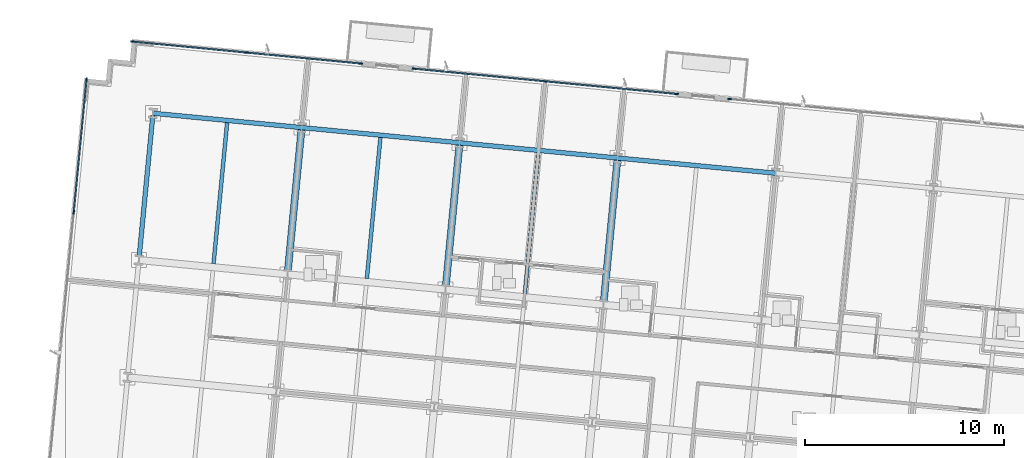
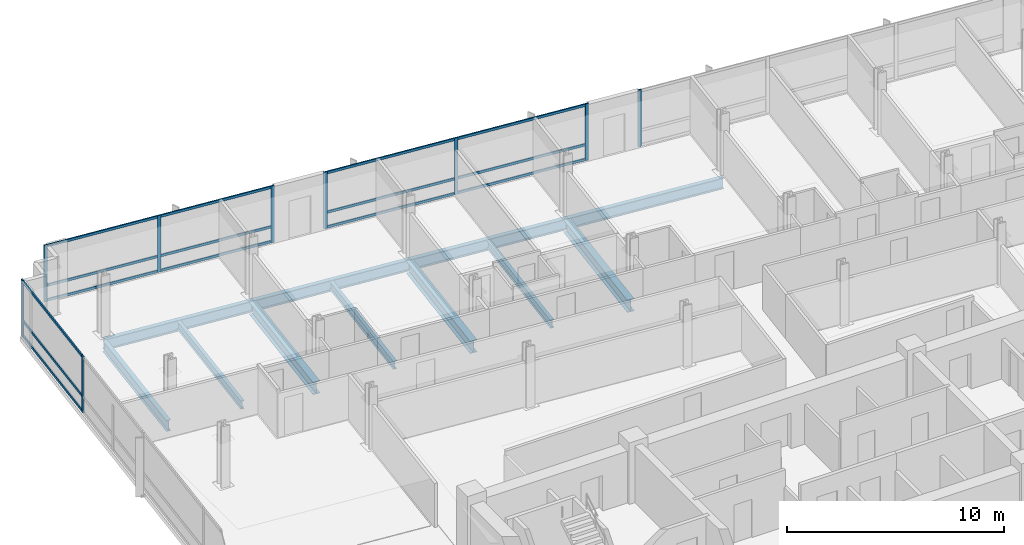
# One storey, part 7 of 17: 24 members, 11 beams, 4 elements without a shape of their own.
"""IFC4 building model written with IfcOpenShell, lengths in metres."""

from ifc_helpers import new_model, si_unit, direction, frame, origin, origin_2d, place, context, subcontext, project, spatial, rectangle, i_section, extrude, material, material_profile, profile_set, type_object, element, aggregate, save


model = new_model("IFC4")

# Units and contexts
model_context = context("Model", 3, precision=1e-05, world=origin(), true_north=direction((0.0, 1.0)))
body_context = subcontext(model_context, "Body", "Model", "MODEL_VIEW")
ifc_project = project(units=[si_unit("LENGTHUNIT", "METRE"), si_unit("AREAUNIT", "SQUARE_METRE"), si_unit("VOLUMEUNIT", "CUBIC_METRE"), si_unit("PLANEANGLEUNIT", "RADIAN"), si_unit("MASSUNIT", "GRAM", prefix="KILO")], contexts=[model_context])

# Site, building, storey
site_placement = place(None, origin())
site = spatial("IfcSite", under=ifc_project, at=site_placement, CompositionType="ELEMENT")
building_placement = place(site_placement, origin())
building = spatial("IfcBuilding", under=site, at=building_placement, Name="Solmavex Isthmus Hotel", CompositionType="ELEMENT")
storey_placement = place(building_placement, frame((0.0, 0.0, 139.35009765625)))
storey = spatial("IfcBuildingStorey", under=building, at=storey_placement, Name="L37", CompositionType="ELEMENT", Elevation=139.35009765625)

# Beams
ifc_material_1 = material(Name="Steel ASTM A992 Grade 50", Category="steel")
ifc_material_profile_1 = material_profile(ifc_material_1, i_section(OverallWidth=0.354736328125, OverallDepth=0.695556640625, WebThickness=0.015380859375, FlangeThickness=0.02490234375, FilletRadius=0.017822265625, at=origin_2d()), Name="W27X146")
ifc_profile_set_1 = profile_set([ifc_material_profile_1], Name="Steel ASTM A992 Grade 50")
beam_type_1 = type_object("IfcBeamType", Name="BM-BG-W27X146", PredefinedType="BEAM", material=ifc_profile_set_1)
beam_1_placement = place(storey_placement, frame((-15.254150390625, 13.07275390625, -0.60791015625), z_axis=(0.095839524498, 0.995396798038, 0.0), x_axis=(-0.995396798038, 0.095839524498, 0.0)))
element("IfcBeam", 1, at=beam_1_placement, inside=storey, type_object=beam_type_1, Name="Floor Beam L37-VG26", PredefinedType="BEAM", context=body_context, shape_type="SweptSolid", body=[
    extrude(i_section(OverallWidth=0.354736328125, OverallDepth=0.695556640625, WebThickness=0.015380859375, FlangeThickness=0.02490234375, FilletRadius=0.017822265625, at=origin_2d()), origin(), (0.0, 0.0, 1.0), 7.099609375),
])
beam_2_placement = place(storey_placement, frame((-7.3349609375, 12.310302734375, -0.60791015625), z_axis=(0.09587687835, 0.9953932008, 0.0), x_axis=(-0.9953932008, 0.09587687835, 0.0)))
element("IfcBeam", 2, at=beam_2_placement, inside=storey, type_object=beam_type_1, Name="Floor Beam L37-VG29", PredefinedType="BEAM", context=body_context, shape_type="SweptSolid", body=[
    extrude(i_section(OverallWidth=0.354736328125, OverallDepth=0.695556640625, WebThickness=0.015380859375, FlangeThickness=0.02490234375, FilletRadius=0.017822265625, at=origin_2d()), origin(), (0.0, 0.0, 1.0), 7.099365234375),
])
beam_3_placement = place(storey_placement, frame((0.58447265625, 11.547607421875, -0.60791015625), z_axis=(0.095839524498, 0.995396798038, 0.0), x_axis=(-0.995396798038, 0.095839524498, 0.0)))
element("IfcBeam", 3, at=beam_3_placement, inside=storey, type_object=beam_type_1, Name="Floor Beam L37-VG32", PredefinedType="BEAM", context=body_context, shape_type="SweptSolid", body=[
    extrude(i_section(OverallWidth=0.354736328125, OverallDepth=0.695556640625, WebThickness=0.015380859375, FlangeThickness=0.02490234375, FilletRadius=0.017822265625, at=origin_2d()), origin(), (0.0, 0.0, 1.0), 7.099609375),
])
ifc_material_profile_2 = material_profile(ifc_material_1, i_section(OverallWidth=0.1904296875, OverallDepth=0.456787109375, WebThickness=0.009033203125, FlangeThickness=0.014404296875, FilletRadius=0.0126953125, at=origin_2d()), Name="W18X50")
ifc_profile_set_2 = profile_set([ifc_material_profile_2], Name="Steel ASTM A992 Grade 50")
beam_type_2 = type_object("IfcBeamType", Name="BM-BJ-W18X50", PredefinedType="JOIST", material=ifc_profile_set_2)
for number, where, z_axis, x_axis, name in (
    (4, (-18.98095703125, 13.431640625, -0.488525390625), (0.095842805175, 0.99539648216, 0.0), (-0.99539648216, 0.095842805175, 0.0), "Secondary Floor Joist L37-J03"),
    (5, (-11.29443359375, 12.691650390625, -0.488525390625), (0.095842805175, 0.99539648216, 0.0), (-0.99539648216, 0.095842805175, 0.0), "Secondary Floor Joist L37-J06"),
    (6, (-3.375244140625, 11.928955078125, -0.488525390625), (0.09587687835, 0.9953932008, 0.0), (-0.9953932008, 0.09587687835, 0.0), "Secondary Floor Joist L37-J09"),
):
    element("IfcBeam", number, at=place(storey_placement, frame(where, z_axis=z_axis, x_axis=x_axis)), inside=storey, type_object=beam_type_2, Name=name, PredefinedType="JOIST", context=body_context, shape_type="SweptSolid", body=[
        extrude(i_section(OverallWidth=0.1904296875, OverallDepth=0.456787109375, WebThickness=0.009033203125, FlangeThickness=0.014404296875, FilletRadius=0.0126953125, at=origin_2d()), origin(), (0.0, 0.0, 1.0), 7.099365234375),
    ])
ifc_material_profile_3 = material_profile(ifc_material_1, i_section(OverallWidth=0.230224609375, OverallDepth=0.617431640625, WebThickness=0.01318359375, FlangeThickness=0.022216796875, FilletRadius=0.01513671875, at=origin_2d()), Name="W24X94")
ifc_profile_set_3 = profile_set([ifc_material_profile_3], Name="Steel ASTM A992 Grade 50")
beam_type_3 = type_object("IfcBeamType", Name="BM-SP-W24X94", PredefinedType="SPANDREL", material=ifc_profile_set_3)
beam_4_placement = place(storey_placement, frame((-22.016357421875, 20.971923828125, -0.56884765625), z_axis=(0.995395279593, -0.095855293875, 0.0), x_axis=(0.095855293875, 0.995395279593, 0.0)))
element("IfcBeam", 7, at=beam_4_placement, inside=storey, type_object=beam_type_3, Name="Floor Girder L37-UG15", PredefinedType="SPANDREL", context=body_context, shape_type="SweptSolid", body=[
    extrude(i_section(OverallWidth=0.230224609375, OverallDepth=0.617431640625, WebThickness=0.01318359375, FlangeThickness=0.022216796875, FilletRadius=0.01513671875, at=origin_2d()), origin(), (0.0, 0.0, 1.0), 7.488037109375),
])
for number, where, z_axis, x_axis, name in (
    (8, (-14.562744140625, 20.254150390625, -0.56884765625), (0.995397440011, -0.095832856685, 0.0), (0.095832856685, 0.995397440011, 0.0), "Floor Girder L37-UG16"),
    (9, (-6.643310546875, 19.49169921875, -0.56884765625), (0.995394512348, -0.095863260885, 0.0), (0.095863260885, 0.995394512348, 0.0), "Floor Girder L37-UG17"),
):
    element("IfcBeam", number, at=place(storey_placement, frame(where, z_axis=z_axis, x_axis=x_axis)), inside=storey, type_object=beam_type_3, Name=name, PredefinedType="SPANDREL", context=body_context, shape_type="SweptSolid", body=[
        extrude(i_section(OverallWidth=0.230224609375, OverallDepth=0.617431640625, WebThickness=0.01318359375, FlangeThickness=0.022216796875, FilletRadius=0.01513671875, at=origin_2d()), origin(), (0.0, 0.0, 1.0), 7.9560546875),
    ])
beam_5_placement = place(storey_placement, frame((1.276123046875, 18.72900390625, -0.56884765625), z_axis=(0.995397158178, -0.095835783981, 0.0), x_axis=(0.095835783981, 0.995397158178, 0.0)))
element("IfcBeam", 10, at=beam_5_placement, inside=storey, type_object=beam_type_3, Name="Floor Girder L37-UG18", PredefinedType="SPANDREL", context=body_context, shape_type="SweptSolid", body=[
    extrude(i_section(OverallWidth=0.230224609375, OverallDepth=0.617431640625, WebThickness=0.01318359375, FlangeThickness=0.022216796875, FilletRadius=0.01513671875, at=origin_2d()), origin(), (0.0, 0.0, 1.0), 7.955810546875),
])
beam_6_placement = place(storey_placement, frame((-22.707763671875, 13.79052734375, -0.56884765625), z_axis=(0.095842805175, 0.99539648216, 0.0), x_axis=(-0.99539648216, 0.095842805175, 0.0)))
element("IfcBeam", 11, at=beam_6_placement, inside=storey, type_object=beam_type_3, Name="Floor Beam L37-VG23", PredefinedType="SPANDREL", context=body_context, shape_type="SweptSolid", body=[
    extrude(i_section(OverallWidth=0.230224609375, OverallDepth=0.617431640625, WebThickness=0.01318359375, FlangeThickness=0.022216796875, FilletRadius=0.01513671875, at=origin_2d()), origin(), (0.0, 0.0, 1.0), 7.099365234375),
])

# Curtain wall, members
ifc_material_2 = material(Name="Aluminium alloy 6063-T6", Category="aluminium")
curtain_wall_type = type_object("IfcCurtainWallType", Name="CW-SYS-03", PredefinedType="NOTDEFINED", material=ifc_material_2)
curtain_wall_1_placement = place(storey_placement, origin())
curtain_wall_1 = element("IfcCurtainWall", 12, at=curtain_wall_1_placement, inside=storey, type_object=curtain_wall_type, Name="Stick Curtain Wall CWL-L37-N1", PredefinedType="NOTDEFINED")
ifc_material_profile_4 = material_profile(ifc_material_2, rectangle(XDim=0.070068359375, YDim=0.179931640625, at=origin_2d()), Name="CWM-70X180")
ifc_profile_set_4 = profile_set([ifc_material_profile_4], Name="Aluminium alloy 6063-T6")
member_type_1 = type_object("IfcMemberType", Name="CW-SYS-03-MUL", PredefinedType="MULLION", material=ifc_profile_set_4)
member_1_placement = place(storey_placement, frame((-23.04150390625, 24.566650390625, 0.0), z_axis=(0.0, 0.0, 1.0), x_axis=(0.095845521008, 0.995396220659, 0.0)))
member_1 = element("IfcMember", 13, at=member_1_placement, type_object=member_type_1, Name="CW-03 mullion 1", PredefinedType="MULLION", context=body_context, shape_type="SweptSolid", body=[
    extrude(rectangle(XDim=0.070068359375, YDim=0.179931640625, at=origin_2d()), origin(), (0.0, 0.0, 1.0), 3.18994140625),
])
member_2_placement = place(storey_placement, frame((-17.31982421875, 24.015869140625, 0.0), z_axis=(0.0, 0.0, 1.0), x_axis=(0.095845521008, 0.995396220659, 0.0)))
member_2 = element("IfcMember", 14, at=member_2_placement, type_object=member_type_1, Name="CW-03 mullion 2", PredefinedType="MULLION", context=body_context, shape_type="SweptSolid", body=[
    extrude(rectangle(XDim=0.070068359375, YDim=0.179931640625, at=origin_2d()), origin(), (0.0, 0.0, 1.0), 3.18994140625),
])
member_3_placement = place(storey_placement, frame((-11.598388671875, 23.46484375, 0.0), z_axis=(0.0, 0.0, 1.0), x_axis=(0.095845521008, 0.995396220659, 0.0)))
member_3 = element("IfcMember", 15, at=member_3_placement, type_object=member_type_1, Name="CW-03 mullion 3", PredefinedType="MULLION", context=body_context, shape_type="SweptSolid", body=[
    extrude(rectangle(XDim=0.070068359375, YDim=0.179931640625, at=origin_2d()), origin(), (0.0, 0.0, 1.0), 3.18994140625),
])

curtain_wall_2_placement = place(storey_placement, origin())
curtain_wall_2 = element("IfcCurtainWall", 16, at=curtain_wall_2_placement, inside=storey, type_object=curtain_wall_type, Name="Stick Curtain Wall CWL-L37-N2", PredefinedType="NOTDEFINED")
member_4_placement = place(storey_placement, frame((-8.940673828125, 23.208984375, 0.0), z_axis=(0.0, 0.0, 1.0), x_axis=(0.095845138178, 0.995396257521, 0.0)))
member_4 = element("IfcMember", 17, at=member_4_placement, type_object=member_type_1, Name="CW-03 mullion 1", PredefinedType="MULLION", context=body_context, shape_type="SweptSolid", body=[
    extrude(rectangle(XDim=0.070068359375, YDim=0.179931640625, at=origin_2d()), origin(), (0.0, 0.0, 1.0), 3.18994140625),
])
member_5_placement = place(storey_placement, frame((-2.35009765625, 22.574462890625, 0.0), z_axis=(0.0, 0.0, 1.0), x_axis=(0.095845138178, 0.995396257521, 0.0)))
member_5 = element("IfcMember", 18, at=member_5_placement, type_object=member_type_1, Name="CW-03 mullion 2", PredefinedType="MULLION", context=body_context, shape_type="SweptSolid", body=[
    extrude(rectangle(XDim=0.070068359375, YDim=0.179931640625, at=origin_2d()), origin(), (0.0, 0.0, 1.0), 3.18994140625),
])
member_6_placement = place(storey_placement, frame((4.240478515625, 21.939697265625, 0.0), z_axis=(0.0, 0.0, 1.0), x_axis=(0.095845138178, 0.995396257521, 0.0)))
member_6 = element("IfcMember", 19, at=member_6_placement, type_object=member_type_1, Name="CW-03 mullion 3", PredefinedType="MULLION", context=body_context, shape_type="SweptSolid", body=[
    extrude(rectangle(XDim=0.070068359375, YDim=0.179931640625, at=origin_2d()), origin(), (0.0, 0.0, 1.0), 3.18994140625),
])

# Curtain wall, member
curtain_wall_3_placement = place(storey_placement, origin())
curtain_wall_3 = element("IfcCurtainWall", 20, at=curtain_wall_3_placement, inside=storey, type_object=curtain_wall_type, Name="Stick Curtain Wall CWL-L37-N3", PredefinedType="NOTDEFINED")
member_7_placement = place(storey_placement, frame((6.898193359375, 21.683837890625, 0.0), z_axis=(0.0, 0.0, 1.0), x_axis=(0.095845735304, 0.995396200025, 0.0)))
member_7 = element("IfcMember", 21, at=member_7_placement, type_object=member_type_1, Name="CW-03 mullion 1", PredefinedType="MULLION", context=body_context, shape_type="SweptSolid", body=[
    extrude(rectangle(XDim=0.070068359375, YDim=0.179931640625, at=origin_2d()), origin(), (0.0, 0.0, 1.0), 3.18994140625),
])
aggregate(curtain_wall_3, [member_7])

# Curtain wall, members
curtain_wall_4_placement = place(storey_placement, origin())
curtain_wall_4 = element("IfcCurtainWall", 22, at=curtain_wall_4_placement, inside=storey, type_object=curtain_wall_type, Name="Stick Curtain Wall CWL-L37-W1", PredefinedType="NOTDEFINED")
member_8_placement = place(storey_placement, frame((-25.990234375, 16.010009765625, 0.0), z_axis=(0.0, 0.0, 1.0), x_axis=(-0.995396190038, 0.09584583902, 0.0)))
member_8 = element("IfcMember", 23, at=member_8_placement, type_object=member_type_1, Name="CW-03 mullion 5", PredefinedType="MULLION", context=body_context, shape_type="SweptSolid", body=[
    extrude(rectangle(XDim=0.070068359375, YDim=0.179931640625, at=origin_2d()), origin(), (0.0, 0.0, 1.0), 3.18994140625),
])
member_9_placement = place(storey_placement, frame((-25.349365234375, 22.6640625, 0.0), z_axis=(0.0, 0.0, 1.0), x_axis=(-0.995396190038, 0.09584583902, 0.0)))
member_9 = element("IfcMember", 24, at=member_9_placement, type_object=member_type_1, Name="CW-03 mullion 6", PredefinedType="MULLION", context=body_context, shape_type="SweptSolid", body=[
    extrude(rectangle(XDim=0.070068359375, YDim=0.179931640625, at=origin_2d()), origin(), (0.0, 0.0, 1.0), 3.18994140625),
])

# Member
ifc_material_profile_5 = material_profile(ifc_material_2, rectangle(XDim=0.070068359375, YDim=0.139892578125, at=origin_2d()), Name="CWT-70X140")
ifc_profile_set_5 = profile_set([ifc_material_profile_5], Name="Aluminium alloy 6063-T6")
member_type_2 = type_object("IfcMemberType", Name="CW-SYS-03-TRN", PredefinedType="USERDEFINED", material=ifc_profile_set_5)
member_10_placement = place(storey_placement, frame((-23.006591796875, 24.563232421875, 0.06982421875), z_axis=(0.995396573568, -0.095841855831, 0.0), x_axis=(0.095841855831, 0.995396573568, 0.0)))
member_10 = element("IfcMember", 25, at=member_10_placement, type_object=member_type_2, Name="CW-03 transom 1.1", ObjectType="TRANSOM", PredefinedType="USERDEFINED", context=body_context, shape_type="SweptSolid", body=[
    extrude(rectangle(XDim=0.070068359375, YDim=0.139892578125, at=origin_2d()), origin(), (0.0, 0.0, 1.0), 5.677978515625),
])

member_11_placement = place(storey_placement, frame((-23.006591796875, 24.563232421875, 0.89990234375), z_axis=(0.995396573568, -0.095841855831, 0.0), x_axis=(0.095841855831, 0.995396573568, 0.0)))
member_11 = element("IfcMember", 26, at=member_11_placement, type_object=member_type_2, Name="CW-03 transom 1.2", ObjectType="TRANSOM", PredefinedType="USERDEFINED", context=body_context, shape_type="SweptSolid", body=[
    extrude(rectangle(XDim=0.070068359375, YDim=0.139892578125, at=origin_2d()), origin(), (0.0, 0.0, 1.0), 5.677978515625),
])

member_12_placement = place(storey_placement, frame((-23.006591796875, 24.563232421875, 3.119873046875), z_axis=(0.995396573568, -0.095841855831, 0.0), x_axis=(0.095841855831, 0.995396573568, 0.0)))
member_12 = element("IfcMember", 27, at=member_12_placement, type_object=member_type_2, Name="CW-03 transom 1.3", ObjectType="TRANSOM", PredefinedType="USERDEFINED", context=body_context, shape_type="SweptSolid", body=[
    extrude(rectangle(XDim=0.070068359375, YDim=0.139892578125, at=origin_2d()), origin(), (0.0, 0.0, 1.0), 5.677978515625),
])

member_13_placement = place(storey_placement, frame((-17.28515625, 24.012451171875, 0.06982421875), z_axis=(0.995396968505, -0.095837753998, 0.0), x_axis=(0.095837753998, 0.995396968505, 0.0)))
member_13 = element("IfcMember", 28, at=member_13_placement, type_object=member_type_2, Name="CW-03 transom 2.1", ObjectType="TRANSOM", PredefinedType="USERDEFINED", context=body_context, shape_type="SweptSolid", body=[
    extrude(rectangle(XDim=0.070068359375, YDim=0.139892578125, at=origin_2d()), origin(), (0.0, 0.0, 1.0), 5.67822265625),
])

member_14_placement = place(storey_placement, frame((-17.28515625, 24.012451171875, 0.89990234375), z_axis=(0.995396968505, -0.095837753998, 0.0), x_axis=(0.095837753998, 0.995396968505, 0.0)))
member_14 = element("IfcMember", 29, at=member_14_placement, type_object=member_type_2, Name="CW-03 transom 2.2", ObjectType="TRANSOM", PredefinedType="USERDEFINED", context=body_context, shape_type="SweptSolid", body=[
    extrude(rectangle(XDim=0.070068359375, YDim=0.139892578125, at=origin_2d()), origin(), (0.0, 0.0, 1.0), 5.67822265625),
])

member_15_placement = place(storey_placement, frame((-17.28515625, 24.012451171875, 3.119873046875), z_axis=(0.995396968505, -0.095837753998, 0.0), x_axis=(0.095837753998, 0.995396968505, 0.0)))
member_15 = element("IfcMember", 30, at=member_15_placement, type_object=member_type_2, Name="CW-03 transom 2.3", ObjectType="TRANSOM", PredefinedType="USERDEFINED", context=body_context, shape_type="SweptSolid", body=[
    extrude(rectangle(XDim=0.070068359375, YDim=0.139892578125, at=origin_2d()), origin(), (0.0, 0.0, 1.0), 5.67822265625),
])

aggregate(curtain_wall_1, [member_1, member_2, member_3, member_10, member_11, member_12, member_13, member_14, member_15])

member_16_placement = place(storey_placement, frame((-8.90576171875, 23.20556640625, 0.06982421875), z_axis=(0.995395431006, -0.095853721538, 0.0), x_axis=(0.095853721538, 0.995395431006, 0.0)))
member_16 = element("IfcMember", 31, at=member_16_placement, type_object=member_type_2, Name="CW-03 transom 1.1", ObjectType="TRANSOM", PredefinedType="USERDEFINED", context=body_context, shape_type="SweptSolid", body=[
    extrude(rectangle(XDim=0.070068359375, YDim=0.139892578125, at=origin_2d()), origin(), (0.0, 0.0, 1.0), 6.551025390625),
])

member_17_placement = place(storey_placement, frame((-8.90576171875, 23.20556640625, 0.89990234375), z_axis=(0.995395431006, -0.095853721538, 0.0), x_axis=(0.095853721538, 0.995395431006, 0.0)))
member_17 = element("IfcMember", 32, at=member_17_placement, type_object=member_type_2, Name="CW-03 transom 1.2", ObjectType="TRANSOM", PredefinedType="USERDEFINED", context=body_context, shape_type="SweptSolid", body=[
    extrude(rectangle(XDim=0.070068359375, YDim=0.139892578125, at=origin_2d()), origin(), (0.0, 0.0, 1.0), 6.551025390625),
])

member_18_placement = place(storey_placement, frame((-8.90576171875, 23.20556640625, 3.119873046875), z_axis=(0.995395431006, -0.095853721538, 0.0), x_axis=(0.095853721538, 0.995395431006, 0.0)))
member_18 = element("IfcMember", 33, at=member_18_placement, type_object=member_type_2, Name="CW-03 transom 1.3", ObjectType="TRANSOM", PredefinedType="USERDEFINED", context=body_context, shape_type="SweptSolid", body=[
    extrude(rectangle(XDim=0.070068359375, YDim=0.139892578125, at=origin_2d()), origin(), (0.0, 0.0, 1.0), 6.551025390625),
])

member_19_placement = place(storey_placement, frame((-2.315185546875, 22.571044921875, 0.06982421875), z_axis=(0.995395431006, -0.095853721538, 0.0), x_axis=(0.095853721538, 0.995395431006, 0.0)))
member_19 = element("IfcMember", 34, at=member_19_placement, type_object=member_type_2, Name="CW-03 transom 2.1", ObjectType="TRANSOM", PredefinedType="USERDEFINED", context=body_context, shape_type="SweptSolid", body=[
    extrude(rectangle(XDim=0.070068359375, YDim=0.139892578125, at=origin_2d()), origin(), (0.0, 0.0, 1.0), 6.551025390625),
])

member_20_placement = place(storey_placement, frame((-2.315185546875, 22.571044921875, 0.89990234375), z_axis=(0.995395431006, -0.095853721538, 0.0), x_axis=(0.095853721538, 0.995395431006, 0.0)))
member_20 = element("IfcMember", 35, at=member_20_placement, type_object=member_type_2, Name="CW-03 transom 2.2", ObjectType="TRANSOM", PredefinedType="USERDEFINED", context=body_context, shape_type="SweptSolid", body=[
    extrude(rectangle(XDim=0.070068359375, YDim=0.139892578125, at=origin_2d()), origin(), (0.0, 0.0, 1.0), 6.551025390625),
])

member_21_placement = place(storey_placement, frame((-2.315185546875, 22.571044921875, 3.119873046875), z_axis=(0.995395431006, -0.095853721538, 0.0), x_axis=(0.095853721538, 0.995395431006, 0.0)))
member_21 = element("IfcMember", 36, at=member_21_placement, type_object=member_type_2, Name="CW-03 transom 2.3", ObjectType="TRANSOM", PredefinedType="USERDEFINED", context=body_context, shape_type="SweptSolid", body=[
    extrude(rectangle(XDim=0.070068359375, YDim=0.139892578125, at=origin_2d()), origin(), (0.0, 0.0, 1.0), 6.551025390625),
])

aggregate(curtain_wall_2, [member_4, member_5, member_6, member_16, member_17, member_18, member_19, member_20, member_21])

member_22_placement = place(storey_placement, frame((-25.98681640625, 16.044677734375, 0.06982421875), z_axis=(0.095845316679, 0.995396240334, 0.0), x_axis=(-0.995396240334, 0.095845316679, 0.0)))
member_22 = element("IfcMember", 37, at=member_22_placement, type_object=member_type_2, Name="CW-03 transom 5.1", ObjectType="TRANSOM", PredefinedType="USERDEFINED", context=body_context, shape_type="SweptSolid", body=[
    extrude(rectangle(XDim=0.070068359375, YDim=0.139892578125, at=origin_2d()), origin(), (0.0, 0.0, 1.0), 6.615234375),
])

member_23_placement = place(storey_placement, frame((-25.98681640625, 16.044677734375, 0.89990234375), z_axis=(0.095845316679, 0.995396240334, 0.0), x_axis=(-0.995396240334, 0.095845316679, 0.0)))
member_23 = element("IfcMember", 38, at=member_23_placement, type_object=member_type_2, Name="CW-03 transom 5.2", ObjectType="TRANSOM", PredefinedType="USERDEFINED", context=body_context, shape_type="SweptSolid", body=[
    extrude(rectangle(XDim=0.070068359375, YDim=0.139892578125, at=origin_2d()), origin(), (0.0, 0.0, 1.0), 6.615234375),
])

member_24_placement = place(storey_placement, frame((-25.98681640625, 16.044677734375, 3.119873046875), z_axis=(0.095845316679, 0.995396240334, 0.0), x_axis=(-0.995396240334, 0.095845316679, 0.0)))
member_24 = element("IfcMember", 39, at=member_24_placement, type_object=member_type_2, Name="CW-03 transom 5.3", ObjectType="TRANSOM", PredefinedType="USERDEFINED", context=body_context, shape_type="SweptSolid", body=[
    extrude(rectangle(XDim=0.070068359375, YDim=0.139892578125, at=origin_2d()), origin(), (0.0, 0.0, 1.0), 6.615234375),
])

aggregate(curtain_wall_4, [member_8, member_9, member_22, member_23, member_24])

save(model, "model.ifc")
